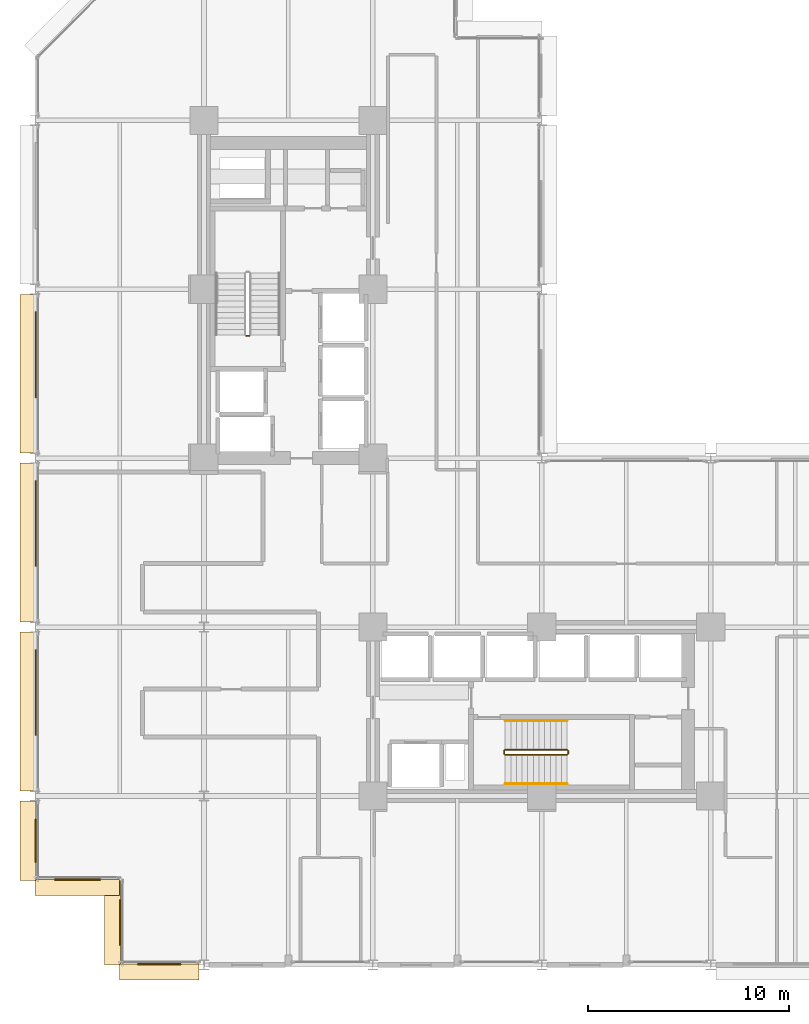
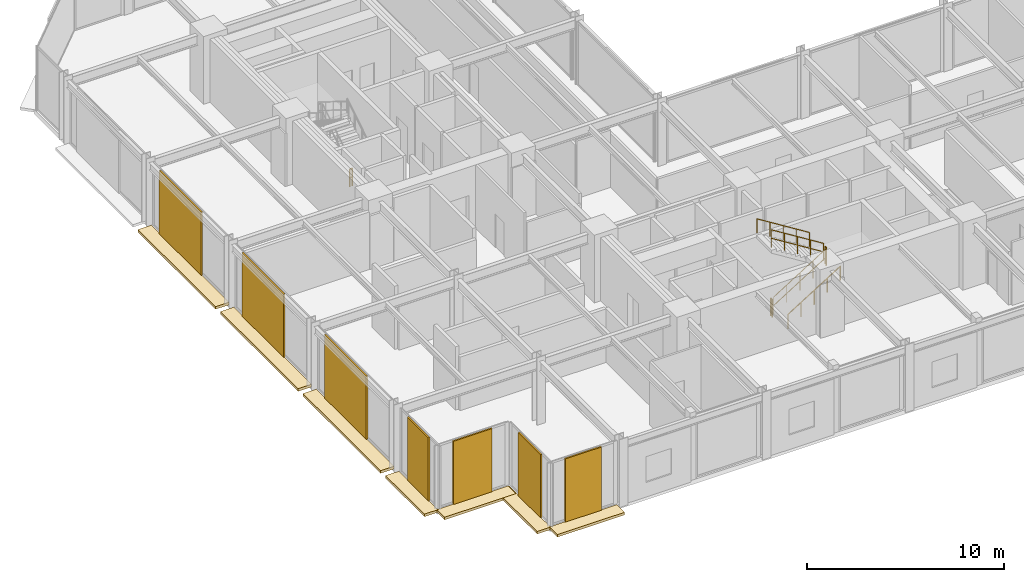
# One storey, part 25 of 27: 14 coverings, 7 railings.
"""IFC4 building model written with IfcOpenShell, lengths in metres."""

from ifc_helpers import new_model, si_unit, direction, frame, origin, origin_2d, place, context, subcontext, project, spatial, polyline, rectangle, circle, outline, extrude, material, layer, layer_set, type_object, element, save


model = new_model("IFC4")

# Units and contexts
model_context = context("Model", 3, precision=1e-05, world=origin(), true_north=direction((0.0, 1.0)))
body_context = subcontext(model_context, "Body", "Model", "MODEL_VIEW")
ifc_project = project(units=[si_unit("LENGTHUNIT", "METRE"), si_unit("AREAUNIT", "SQUARE_METRE"), si_unit("VOLUMEUNIT", "CUBIC_METRE"), si_unit("PLANEANGLEUNIT", "RADIAN"), si_unit("MASSUNIT", "GRAM", prefix="KILO")], contexts=[model_context])

# Site, building, storey
site_placement = place(None, origin())
site = spatial("IfcSite", under=ifc_project, at=site_placement, CompositionType="ELEMENT")
building_placement = place(site_placement, origin())
building = spatial("IfcBuilding", under=site, at=building_placement, Name="Nerrivon Quay Data Exchange", CompositionType="ELEMENT")
storey_placement = place(building_placement, frame((0.0, 0.0, 66.800048828125)))
storey = spatial("IfcBuildingStorey", under=building, at=storey_placement, Name="L15", CompositionType="ELEMENT", Elevation=66.800048828125)

# Coverings
ifc_material_1 = material(Name="Architectural terracotta ceramic", Category="masonry")
ifc_layer_1 = layer(ifc_material_1, 0.159912109375)
ifc_layer_set_1 = layer_set([ifc_layer_1], Name="Architectural terracotta ceramic")
covering_type_1 = type_object("IfcCoveringType", Name="COV-BLD-TERR", PredefinedType="CLADDING", material=ifc_layer_set_1)
covering_1_placement = place(storey_placement, frame((0.0, 0.0, -0.16015625)))
element("IfcCovering", 1, at=covering_1_placement, inside=storey, type_object=covering_type_1, Name="L15 Horizontal Terracotta SOLAR SCREEN Blade", PredefinedType="CLADDING", context=body_context, shape_type="SweptSolid", body=[
    extrude(outline(polyline([(8.14990234375, 0.0400390625), (4.199951171875, 0.0400390625), (4.199951171875, -0.75), (8.14990234375, -0.75), (8.14990234375, 0.0400390625)])), origin(), (0.0, 0.0, 1.0), 0.16015625),
])
covering_2_placement = place(storey_placement, frame((0.0, 0.0, -0.16015625)))
element("IfcCovering", 2, at=covering_2_placement, inside=storey, type_object=covering_type_1, Name="L15 Horizontal Terracotta SOLAR SCREEN Blade", PredefinedType="CLADDING", context=body_context, shape_type="SweptSolid", body=[
    extrude(outline(polyline([(4.239990234375, 0.0), (4.239990234375, 4.199951171875), (3.449951171875, 4.199951171875), (3.449951171875, 0.0), (4.239990234375, 0.0)])), origin(), (0.0, 0.0, 1.0), 0.16015625),
])
covering_3_placement = place(storey_placement, frame((0.0, 0.0, -0.16015625)))
element("IfcCovering", 3, at=covering_3_placement, inside=storey, type_object=covering_type_1, Name="L15 Horizontal Terracotta SOLAR SCREEN Blade", PredefinedType="CLADDING", context=body_context, shape_type="SweptSolid", body=[
    extrude(outline(polyline([(4.199951171875, 4.239990234375), (0.0, 4.239990234375), (0.0, 3.449951171875), (4.199951171875, 3.449951171875), (4.199951171875, 4.239990234375)])), origin(), (0.0, 0.0, 1.0), 0.16015625),
])
covering_4_placement = place(storey_placement, frame((0.0, 0.0, -0.16015625)))
element("IfcCovering", 4, at=covering_4_placement, inside=storey, type_object=covering_type_1, Name="L15 Horizontal Terracotta SOLAR SCREEN Blade", PredefinedType="CLADDING", context=body_context, shape_type="SweptSolid", body=[
    extrude(outline(polyline([(0.0400390625, 4.199951171875), (0.0400390625, 8.14990234375), (-0.75, 8.14990234375), (-0.75, 4.199951171875), (0.0400390625, 4.199951171875)])), origin(), (0.0, 0.0, 1.0), 0.16015625),
])
covering_5_placement = place(storey_placement, frame((0.0, 0.0, -0.16015625)))
element("IfcCovering", 5, at=covering_5_placement, inside=storey, type_object=covering_type_1, Name="L15 Horizontal Terracotta SOLAR SCREEN Blade", PredefinedType="CLADDING", context=body_context, shape_type="SweptSolid", body=[
    extrude(outline(polyline([(0.0400390625, 8.64990234375), (0.0400390625, 16.550048828125), (-0.75, 16.550048828125), (-0.75, 8.64990234375), (0.0400390625, 8.64990234375)])), origin(), (0.0, 0.0, 1.0), 0.16015625),
])
covering_6_placement = place(storey_placement, frame((0.0, 0.0, -0.16015625)))
element("IfcCovering", 6, at=covering_6_placement, inside=storey, type_object=covering_type_1, Name="L15 Horizontal Terracotta SOLAR SCREEN Blade", PredefinedType="CLADDING", context=body_context, shape_type="SweptSolid", body=[
    extrude(outline(polyline([(0.0400390625, 17.050048828125), (0.0400390625, 24.949951171875), (-0.75, 24.949951171875), (-0.75, 17.050048828125), (0.0400390625, 17.050048828125)])), origin(), (0.0, 0.0, 1.0), 0.16015625),
])
covering_7_placement = place(storey_placement, frame((0.0, 0.0, -0.16015625)))
element("IfcCovering", 7, at=covering_7_placement, inside=storey, type_object=covering_type_1, Name="L15 Horizontal Terracotta SOLAR SCREEN Blade", PredefinedType="CLADDING", context=body_context, shape_type="SweptSolid", body=[
    extrude(outline(polyline([(0.0400390625, 25.449951171875), (0.0400390625, 33.35009765625), (-0.75, 33.35009765625), (-0.75, 25.449951171875), (0.0400390625, 25.449951171875)])), origin(), (0.0, 0.0, 1.0), 0.16015625),
])
ifc_layer_2 = layer(ifc_material_1, 0.090087890625)
ifc_layer_set_2 = layer_set([ifc_layer_2], Name="Architectural terracotta ceramic")
covering_type_2 = type_object("IfcCoveringType", Name="COV-SCR-TERR", PredefinedType="CLADDING", material=ifc_layer_set_2)
covering_8_placement = place(storey_placement, frame((6.175048828125, 0.044921875, 0.0), z_axis=(0.0, 0.0, 1.0), x_axis=(-1.0, 0.0, 0.0)))
element("IfcCovering", 8, at=covering_8_placement, inside=storey, type_object=covering_type_2, Name="L15 Perforated Terracotta SOLAR SCREEN Cassette", PredefinedType="CLADDING", context=body_context, shape_type="SweptSolid", body=[
    extrude(rectangle(XDim=2.133056640625, YDim=0.090087890625, at=origin_2d()), origin(), (0.0, 0.0, 1.0), 3.925048828125),
])
for number, where, z_axis, x_axis, name in (
    (9, (4.2451171875, 2.10009765625, 0.0), (0.0, 0.0, 1.0), (0.0, 1.0, 0.0), "L15 Perforated Terracotta SOLAR SCREEN Cassette"),
    (10, (2.10009765625, 4.2451171875, 0.0), (0.0, 0.0, 1.0), (-1.0, 0.0, 0.0), "L15 Perforated Terracotta SOLAR SCREEN Cassette"),
):
    element("IfcCovering", number, at=place(storey_placement, frame(where, z_axis=z_axis, x_axis=x_axis)), inside=storey, type_object=covering_type_2, Name=name, PredefinedType="CLADDING", context=body_context, shape_type="SweptSolid", body=[
        extrude(rectangle(XDim=2.26806640625, YDim=0.090087890625, at=origin_2d()), origin(), (0.0, 0.0, 1.0), 3.925048828125),
    ])
covering_9_placement = place(storey_placement, frame((0.044921875, 6.175048828125, 0.0), z_axis=(0.0, 0.0, 1.0), x_axis=(0.0, 1.0, 0.0)))
element("IfcCovering", 11, at=covering_9_placement, inside=storey, type_object=covering_type_2, Name="L15 Perforated Terracotta SOLAR SCREEN Cassette", PredefinedType="CLADDING", context=body_context, shape_type="SweptSolid", body=[
    extrude(rectangle(XDim=2.133056640625, YDim=0.090087890625, at=origin_2d()), origin(), (0.0, 0.0, 1.0), 3.925048828125),
])
for number, where, z_axis, x_axis, name in (
    (12, (0.044921875, 13.548095703125, 0.0), (0.0, 0.0, 1.0), (0.0, 1.0, 0.0), "L15 Perforated Terracotta SOLAR SCREEN Cassette"),
    (13, (0.044921875, 21.947998046875, 0.0), (0.0, 0.0, 1.0), (0.0, 1.0, 0.0), "L15 Perforated Terracotta SOLAR SCREEN Cassette"),
    (14, (0.044921875, 30.347900390625, 0.0), (0.0, 0.0, 1.0), (0.0, 1.0, 0.0), "L15 Perforated Terracotta SOLAR SCREEN Cassette"),
):
    element("IfcCovering", number, at=place(storey_placement, frame(where, z_axis=z_axis, x_axis=x_axis)), inside=storey, type_object=covering_type_2, Name=name, PredefinedType="CLADDING", context=body_context, shape_type="SweptSolid", body=[
        extrude(rectangle(XDim=4.26611328125, YDim=0.090087890625, at=origin_2d()), origin(), (0.0, 0.0, 1.0), 3.925048828125),
    ])

# Railings
ifc_material_2 = material(Name="Steel Grade C350L0 (350 MPa)", Category="steel")
railing_type_1 = type_object("IfcRailingType", Name="RAIL-HAND-HR1", PredefinedType="HANDRAIL", material=ifc_material_2)
railing_1_placement = place(storey_placement, frame((23.3798828125, 9.0, 0.175048828125)))
element("IfcRailing", 15, at=railing_1_placement, inside=storey, type_object=railing_type_1, Name="L15 ST02 stair handrail 1", PredefinedType="HANDRAIL", context=body_context, shape_type="SweptSolid", body=[
    extrude(circle(Radius=0.02392578125, at=origin_2d()), frame((0.0, 0.0, 0.8759765625), z_axis=(0.848028513186, 0.0, 0.529950602248), x_axis=(0.0, 1.0, 0.0)), (0.0, 0.0, 1.0), 3.632080078125),
    extrude(circle(Radius=0.02099609375, at=origin_2d()), origin(), (0.0, 0.0, 1.0), 0.851806640625),
    extrude(circle(Radius=0.02099609375, at=origin_2d()), frame((0.77001953125, 0.0, 0.481201171875)), (0.0, 0.0, 1.0), 0.851806640625),
    extrude(circle(Radius=0.02099609375, at=origin_2d()), frame((1.5400390625, 0.0, 0.96240234375)), (0.0, 0.0, 1.0), 0.851806640625),
    extrude(circle(Radius=0.02099609375, at=origin_2d()), frame((2.31005859375, 0.0, 1.443603515625)), (0.0, 0.0, 1.0), 0.851806640625),
    extrude(circle(Radius=0.02099609375, at=origin_2d()), frame((3.080078125, 0.0, 1.9248046875)), (0.0, 0.0, 1.0), 0.851806640625),
])
railing_2_placement = place(storey_placement, frame((26.4599609375, 12.14990234375, 2.27490234375)))
element("IfcRailing", 16, at=railing_2_placement, inside=storey, type_object=railing_type_1, Name="L15 ST02 stair handrail 2", PredefinedType="HANDRAIL", context=body_context, shape_type="SweptSolid", body=[
    extrude(circle(Radius=0.02392578125, at=origin_2d()), frame((0.0, 0.0, 0.8759765625), z_axis=(-0.847998304005, 0.0, 0.529998940003), x_axis=(0.0, -1.0, 0.0)), (0.0, 0.0, 1.0), 3.632080078125),
    extrude(circle(Radius=0.02099609375, at=origin_2d()), origin(), (0.0, 0.0, 1.0), 0.851806640625),
    extrude(circle(Radius=0.02099609375, at=origin_2d()), frame((-0.77001953125, 0.0, 0.481201171875)), (0.0, 0.0, 1.0), 0.851806640625),
    extrude(circle(Radius=0.02099609375, at=origin_2d()), frame((-1.5400390625, 0.0, 0.96240234375)), (0.0, 0.0, 1.0), 0.851806640625),
    extrude(circle(Radius=0.02099609375, at=origin_2d()), frame((-2.31005859375, 0.0, 1.44384765625)), (0.0, 0.0, 1.0), 0.851806640625),
    extrude(circle(Radius=0.02099609375, at=origin_2d()), frame((-3.080078125, 0.0, 1.925048828125)), (0.0, 0.0, 1.0), 0.851806640625),
])
railing_type_2 = type_object("IfcRailingType", Name="RAIL-STAIR-GR1", PredefinedType="BALUSTRADE", material=ifc_material_2)
railing_3_placement = place(storey_placement, frame((10.64990234375, 31.280029296875, 0.0)))
element("IfcRailing", 17, at=railing_3_placement, inside=storey, type_object=railing_type_2, Name="L15 ST01 stair guard 4", PredefinedType="BALUSTRADE", context=body_context, shape_type="SweptSolid", body=[
    extrude(circle(Radius=0.02392578125, at=origin_2d()), frame((0.0, 0.0, 1.076171875), z_axis=(-1.0, 0.0, 0.0), x_axis=(0.0, -1.0, 0.0)), (0.0, 0.0, 1.0), 0.14990234375),
    extrude(circle(Radius=0.02392578125, at=origin_2d()), frame((0.0, 0.0, 0.550048828125), z_axis=(-1.0, 0.0, 0.0), x_axis=(0.0, -1.0, 0.0)), (0.0, 0.0, 1.0), 0.14990234375),
    extrude(circle(Radius=0.02099609375, at=origin_2d()), origin(), (0.0, 0.0, 1.0), 1.052001953125),
    extrude(circle(Radius=0.02099609375, at=origin_2d()), frame((-0.14990234375, 0.0, 0.0)), (0.0, 0.0, 1.0), 1.052001953125),
])
railing_4_placement = place(storey_placement, frame((23.3798828125, 10.449951171875, 0.175048828125)))
element("IfcRailing", 18, at=railing_4_placement, inside=storey, type_object=railing_type_2, Name="L15 ST02 stair guard 1", PredefinedType="BALUSTRADE", context=body_context, shape_type="SweptSolid", body=[
    extrude(circle(Radius=0.02392578125, at=origin_2d()), frame((0.0, 0.0, 1.076171875), z_axis=(0.848028513186, 0.0, 0.529950602248), x_axis=(0.0, 1.0, 0.0)), (0.0, 0.0, 1.0), 3.632080078125),
    extrude(circle(Radius=0.02392578125, at=origin_2d()), frame((0.0, 0.0, 0.550048828125), z_axis=(0.848028513186, 0.0, 0.529950602248), x_axis=(0.0, 1.0, 0.0)), (0.0, 0.0, 1.0), 3.632080078125),
    extrude(circle(Radius=0.02099609375, at=origin_2d()), origin(), (0.0, 0.0, 1.0), 1.052001953125),
    extrude(circle(Radius=0.02099609375, at=origin_2d()), frame((0.77001953125, 0.0, 0.481201171875)), (0.0, 0.0, 1.0), 1.052001953125),
    extrude(circle(Radius=0.02099609375, at=origin_2d()), frame((1.5400390625, 0.0, 0.96240234375)), (0.0, 0.0, 1.0), 1.052001953125),
    extrude(circle(Radius=0.02099609375, at=origin_2d()), frame((2.31005859375, 0.0, 1.443603515625)), (0.0, 0.0, 1.0), 1.052001953125),
    extrude(circle(Radius=0.02099609375, at=origin_2d()), frame((3.080078125, 0.0, 1.9248046875)), (0.0, 0.0, 1.0), 1.052001953125),
])
railing_5_placement = place(storey_placement, frame((26.510009765625, 10.5, 2.099853515625)))
element("IfcRailing", 19, at=railing_5_placement, inside=storey, type_object=railing_type_2, Name="L15 ST02 stair guard 2", PredefinedType="BALUSTRADE", context=body_context, shape_type="SweptSolid", body=[
    extrude(circle(Radius=0.02392578125, at=origin_2d()), frame((0.0, 0.0, 1.076171875), z_axis=(0.0, 1.0, 0.0), x_axis=(-1.0, 0.0, 0.0)), (0.0, 0.0, 1.0), 0.14990234375),
    extrude(circle(Radius=0.02392578125, at=origin_2d()), frame((0.0, 0.0, 0.550048828125), z_axis=(0.0, 1.0, 0.0), x_axis=(-1.0, 0.0, 0.0)), (0.0, 0.0, 1.0), 0.14990234375),
    extrude(circle(Radius=0.02099609375, at=origin_2d()), origin(), (0.0, 0.0, 1.0), 1.052001953125),
    extrude(circle(Radius=0.02099609375, at=origin_2d()), frame((0.0, 0.14990234375, 0.0)), (0.0, 0.0, 1.0), 1.052001953125),
])
railing_6_placement = place(storey_placement, frame((26.4599609375, 10.699951171875, 2.27490234375)))
element("IfcRailing", 20, at=railing_6_placement, inside=storey, type_object=railing_type_2, Name="L15 ST02 stair guard 3", PredefinedType="BALUSTRADE", context=body_context, shape_type="SweptSolid", body=[
    extrude(circle(Radius=0.02392578125, at=origin_2d()), frame((0.0, 0.0, 1.076171875), z_axis=(-0.847998304005, 0.0, 0.529998940003), x_axis=(0.0, -1.0, 0.0)), (0.0, 0.0, 1.0), 3.632080078125),
    extrude(circle(Radius=0.02392578125, at=origin_2d()), frame((0.0, 0.0, 0.550048828125), z_axis=(-0.847998304005, 0.0, 0.529998940003), x_axis=(0.0, -1.0, 0.0)), (0.0, 0.0, 1.0), 3.632080078125),
    extrude(circle(Radius=0.02099609375, at=origin_2d()), origin(), (0.0, 0.0, 1.0), 1.052001953125),
    extrude(circle(Radius=0.02099609375, at=origin_2d()), frame((-0.77001953125, 0.0, 0.481201171875)), (0.0, 0.0, 1.0), 1.052001953125),
    extrude(circle(Radius=0.02099609375, at=origin_2d()), frame((-1.5400390625, 0.0, 0.96240234375)), (0.0, 0.0, 1.0), 1.052001953125),
    extrude(circle(Radius=0.02099609375, at=origin_2d()), frame((-2.31005859375, 0.0, 1.44384765625)), (0.0, 0.0, 1.0), 1.052001953125),
    extrude(circle(Radius=0.02099609375, at=origin_2d()), frame((-3.080078125, 0.0, 1.925048828125)), (0.0, 0.0, 1.0), 1.052001953125),
])
railing_7_placement = place(storey_placement, frame((23.330078125, 10.5, 0.0)))
element("IfcRailing", 21, at=railing_7_placement, inside=storey, type_object=railing_type_2, Name="L15 ST02 stair guard 4", PredefinedType="BALUSTRADE", context=body_context, shape_type="SweptSolid", body=[
    extrude(circle(Radius=0.02392578125, at=origin_2d()), frame((0.0, 0.0, 1.076171875), z_axis=(0.0, 1.0, 0.0), x_axis=(-1.0, 0.0, 0.0)), (0.0, 0.0, 1.0), 0.14990234375),
    extrude(circle(Radius=0.02392578125, at=origin_2d()), frame((0.0, 0.0, 0.550048828125), z_axis=(0.0, 1.0, 0.0), x_axis=(-1.0, 0.0, 0.0)), (0.0, 0.0, 1.0), 0.14990234375),
    extrude(circle(Radius=0.02099609375, at=origin_2d()), origin(), (0.0, 0.0, 1.0), 1.052001953125),
    extrude(circle(Radius=0.02099609375, at=origin_2d()), frame((0.0, 0.14990234375, 0.0)), (0.0, 0.0, 1.0), 1.052001953125),
])

save(model, "model.ifc")
